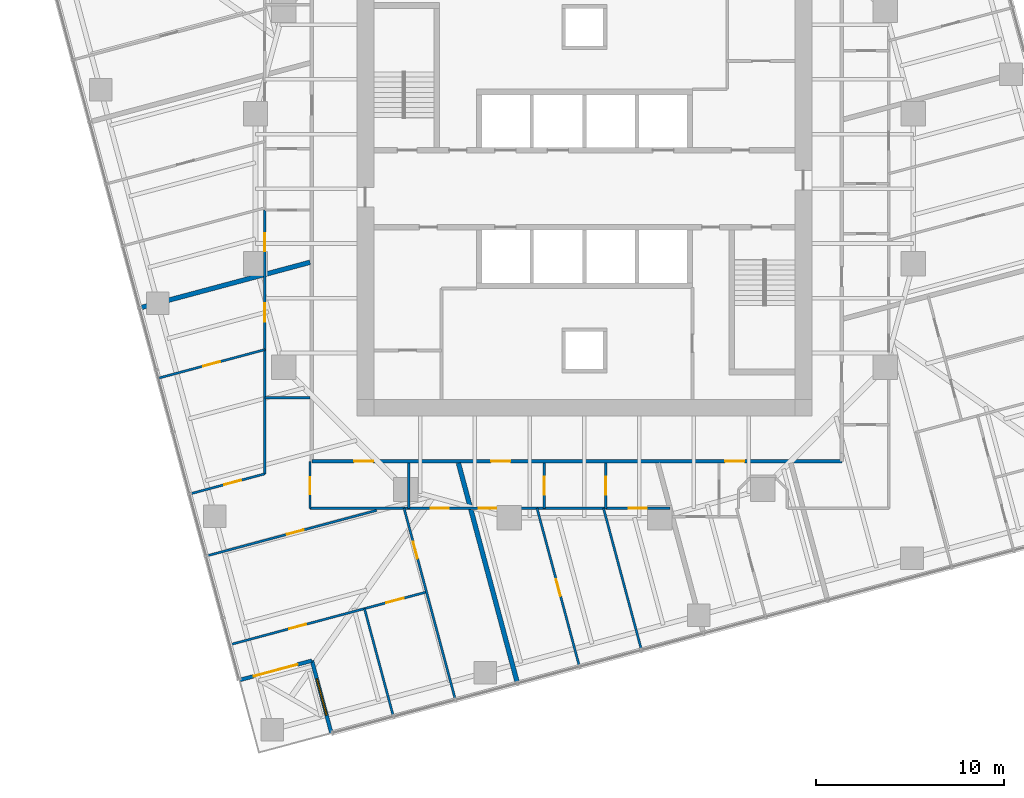
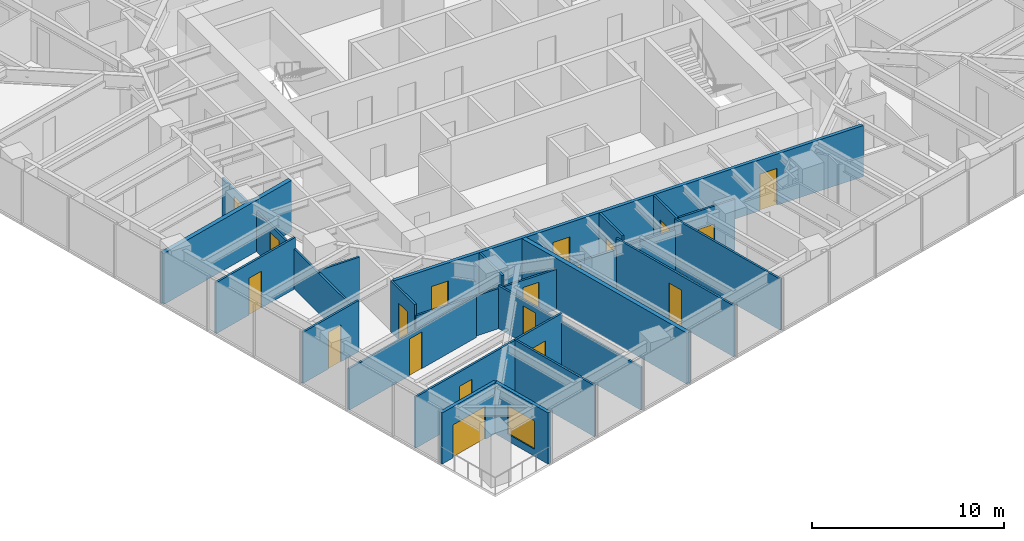
# One storey, part 8 of 14: 21 walls, 19 doors, 1 window, 20 openings.
"""IFC4 building model written with IfcOpenShell, lengths in metres."""

from ifc_helpers import new_model, si_unit, direction, frame, frame_2d, origin, place, context, subcontext, project, spatial, rectangle, extrude, material, layer, layer_set, type_object, element, fill, save


model = new_model("IFC4")

# Units and contexts
model_context = context("Model", 3, precision=1e-05, world=origin(), true_north=direction((0.0, 1.0)))
body_context = subcontext(model_context, "Body", "Model", "MODEL_VIEW")
ifc_project = project(units=[si_unit("LENGTHUNIT", "METRE"), si_unit("AREAUNIT", "SQUARE_METRE"), si_unit("VOLUMEUNIT", "CUBIC_METRE"), si_unit("PLANEANGLEUNIT", "RADIAN"), si_unit("MASSUNIT", "GRAM", prefix="KILO")], contexts=[model_context])

# Site, building, storey
site_placement = place(None, origin())
site = spatial("IfcSite", under=ifc_project, at=site_placement, CompositionType="ELEMENT")
building_placement = place(site_placement, origin())
building = spatial("IfcBuilding", under=site, at=building_placement, Name="Torsade Residences", CompositionType="ELEMENT")
storey_placement = place(building_placement, frame((0.0, 0.0, 125.199951171875)))
storey = spatial("IfcBuildingStorey", under=building, at=storey_placement, Name="L34", CompositionType="ELEMENT", Elevation=125.199951171875)

# Wall, openings, doors
ifc_material_1 = material(Name="Plasterboard on steel stud", Category="steel")
ifc_layer_1 = layer(ifc_material_1, 0.199951171875)
ifc_layer_set_1 = layer_set([ifc_layer_1], Name="Plasterboard on steel stud")
wall_type_1 = type_object("IfcWallType", Name="CORRIDOR WALL 200", PredefinedType="PARTITIONING", material=ifc_layer_set_1)
wall_1_placement = place(storey_placement, frame((25.5, 15.5, 0.0), z_axis=(0.0, 0.0, 1.0), x_axis=(1.0, 0.0, 0.0)))
wall_1 = element("IfcWall", 1, at=wall_1_placement, inside=storey, type_object=wall_type_1, Name="Corridor wall L34", PredefinedType="PARTITIONING", context=body_context, shape_type="SweptSolid", body=[
    extrude(rectangle(XDim=28.199951171875, YDim=0.199951171875, at=frame_2d((14.10009765625, 0.0))), origin(), (0.0, 0.0, 1.0), 3.25),
])
opening_1_placement = place(wall_1_placement, frame((2.244140625, 0.0, 0.0)))
opening_1 = element("IfcOpeningElement", 2, at=opening_1_placement, cuts=wall_1, Name="Opening D01L", PredefinedType="OPENING", context=body_context, shape_type="SweptSolid", body=[
    extrude(rectangle(XDim=1.02001953125, YDim=2.10009765625, at=frame_2d((0.510009765625, 1.050048828125))), frame((0.0, 0.10986328125, 0.0), z_axis=(0.0, -1.0, 0.0), x_axis=(1.0, 0.0, 0.0)), (0.0, 0.0, 1.0), 0.219970703125),
])
opening_2_placement = place(wall_1_placement, frame((9.542236328125, 0.0, 0.0)))
opening_2 = element("IfcOpeningElement", 3, at=opening_2_placement, cuts=wall_1, Name="Opening D01", PredefinedType="OPENING", context=body_context, shape_type="SweptSolid", body=[
    extrude(rectangle(XDim=1.02001953125, YDim=2.340087890625, at=frame_2d((0.510009765625, 1.169921875))), frame((0.0, 0.10986328125, 0.0), z_axis=(0.0, -1.0, 0.0), x_axis=(1.0, 0.0, 0.0)), (0.0, 0.0, 1.0), 0.219970703125),
])
opening_3_placement = place(wall_1_placement, frame((21.994384765625, 0.0, 0.0)))
opening_3 = element("IfcOpeningElement", 4, at=opening_3_placement, cuts=wall_1, Name="Opening D01", PredefinedType="OPENING", context=body_context, shape_type="SweptSolid", body=[
    extrude(rectangle(XDim=1.02001953125, YDim=2.340087890625, at=frame_2d((0.510009765625, 1.169921875))), frame((0.0, 0.10986328125, 0.0), z_axis=(0.0, -1.0, 0.0), x_axis=(1.0, 0.0, 0.0)), (0.0, 0.0, 1.0), 0.219970703125),
])
ifc_material_2 = material(Name="Solid-core timber fire door", Category="wood")
door_type_1 = type_object("IfcDoorType", Name="APARTMENT ENTRY DOOR 1020x2100", OperationType="NOTDEFINED", PredefinedType="DOOR", material=ifc_material_2)
door_1_placement = place(opening_1_placement, origin())
door_1 = element("IfcDoor", 5, at=door_1_placement, inside=storey, type_object=door_type_1, Name="Door Residential corridor to Kitchen and dining", OperationType="SINGLE_SWING_LEFT", OverallHeight=2.10009765625, OverallWidth=1.02001953125, PredefinedType="DOOR", context=body_context, shape_type="SweptSolid", body=[
    extrude(rectangle(XDim=1.02001953125, YDim=2.10009765625, at=frame_2d((0.510009765625, 1.050048828125))), frame((0.0, 0.02490234375, 0.0), z_axis=(0.0, -1.0, 0.0), x_axis=(1.0, 0.0, 0.0)), (0.0, 0.0, 1.0), 0.050048828125),
])
fill(opening_1, door_1)
ifc_material_3 = material(Name="Solid-core timber fire door", Category="wood")
door_type_2 = type_object("IfcDoorType", Name="APARTMENT ENTRY DOOR 1020x2340", OperationType="NOTDEFINED", PredefinedType="DOOR", material=ifc_material_3)
door_2_placement = place(opening_2_placement, origin())
door_2 = element("IfcDoor", 6, at=door_2_placement, inside=storey, type_object=door_type_2, Name="Door Residential corridor to Kitchen and dining", OperationType="SINGLE_SWING_LEFT", OverallHeight=2.340087890625, OverallWidth=1.02001953125, PredefinedType="DOOR", context=body_context, shape_type="SweptSolid", body=[
    extrude(rectangle(XDim=1.02001953125, YDim=2.340087890625, at=frame_2d((0.510009765625, 1.169921875))), frame((0.0, 0.02490234375, 0.0), z_axis=(0.0, -1.0, 0.0), x_axis=(1.0, 0.0, 0.0)), (0.0, 0.0, 1.0), 0.050048828125),
])
fill(opening_2, door_2)
door_3_placement = place(opening_3_placement, origin())
door_3 = element("IfcDoor", 7, at=door_3_placement, inside=storey, type_object=door_type_2, Name="Door Residential corridor to Kitchen and dining", OperationType="SINGLE_SWING_RIGHT", OverallHeight=2.340087890625, OverallWidth=1.02001953125, PredefinedType="DOOR", context=body_context, shape_type="SweptSolid", body=[
    extrude(rectangle(XDim=1.02001953125, YDim=2.340087890625, at=frame_2d((0.510009765625, 1.169921875))), frame((0.0, 0.02490234375, 0.0), z_axis=(0.0, -1.0, 0.0), x_axis=(1.0, 0.0, 0.0)), (0.0, 0.0, 1.0), 0.050048828125),
])
fill(opening_3, door_3)

# Wall
ifc_material_4 = material(Name="Plasterboard on steel stud", Category="steel")
ifc_layer_2 = layer(ifc_material_4, 0.1201171875)
ifc_layer_set_2 = layer_set([ifc_layer_2], Name="Plasterboard on steel stud")
wall_type_2 = type_object("IfcWallType", Name="PARTITION 120", PredefinedType="PARTITIONING", material=ifc_layer_set_2)
wall_2_placement = place(storey_placement, frame((30.658203125, 15.39990234375, 0.0), z_axis=(0.0, 0.0, 1.0), x_axis=(0.0, -1.0, 0.0)))
element("IfcWall", 8, at=wall_2_placement, inside=storey, type_object=wall_type_2, Name="Partition L34", PredefinedType="PARTITIONING", context=body_context, shape_type="SweptSolid", body=[
    extrude(rectangle(XDim=2.39990234375, YDim=0.1201171875, at=frame_2d((1.199951171875, 0.0))), origin(), (0.0, 0.0, 1.0), 3.25),
])

# Wall, openings, doors
wall_3_placement = place(storey_placement, frame((41.06982421875, 13.0, 0.0), z_axis=(0.0, 0.0, 1.0), x_axis=(-1.0, 0.0, 0.0)))
wall_3 = element("IfcWall", 9, at=wall_3_placement, inside=storey, type_object=wall_type_2, Name="Partition L34", PredefinedType="PARTITIONING", context=body_context, shape_type="SweptSolid", body=[
    extrude(rectangle(XDim=15.669921875, YDim=0.1201171875, at=frame_2d((7.8349609375, 0.0))), origin(), (0.0, 0.0, 1.0), 2.550048828125),
])
opening_4_placement = place(wall_3_placement, frame((5.771728515625, 0.0, 0.0)))
opening_4 = element("IfcOpeningElement", 10, at=opening_4_placement, cuts=wall_3, Name="Opening D02", PredefinedType="OPENING", context=body_context, shape_type="SweptSolid", body=[
    extrude(rectangle(XDim=0.919921875, YDim=2.340087890625, at=frame_2d((0.4599609375, 1.169921875))), frame((0.0, 0.070068359375, 0.0), z_axis=(0.0, -1.0, 0.0), x_axis=(1.0, 0.0, 0.0)), (0.0, 0.0, 1.0), 0.14013671875),
])
opening_5_placement = place(wall_3_placement, frame((8.288818359375, 0.0, 0.0)))
opening_5 = element("IfcOpeningElement", 11, at=opening_5_placement, cuts=wall_3, Name="Opening D05", PredefinedType="OPENING", context=body_context, shape_type="SweptSolid", body=[
    extrude(rectangle(XDim=0.9599609375, YDim=2.10009765625, at=frame_2d((0.47998046875, 1.050048828125))), frame((0.0, 0.070068359375, 0.0), z_axis=(0.0, -1.0, 0.0), x_axis=(1.0, 0.0, 0.0)), (0.0, 0.0, 1.0), 0.14013671875),
])
ifc_material_5 = material(Name="Hollow-core timber door in a steel cavity frame", Category="steel")
door_type_3 = type_object("IfcDoorType", Name="BATHROOM CAVITY SLIDING DOOR 960", OperationType="SLIDING_TO_LEFT", PredefinedType="DOOR", material=ifc_material_5)
door_4_placement = place(opening_5_placement, origin())
door_4 = element("IfcDoor", 12, at=door_4_placement, inside=storey, type_object=door_type_3, Name="Door Bedroom 2 to Ensuite", OperationType="SLIDING_TO_LEFT", OverallHeight=2.10009765625, OverallWidth=0.9599609375, PredefinedType="DOOR", context=body_context, shape_type="SweptSolid", body=[
    extrude(rectangle(XDim=0.9599609375, YDim=2.10009765625, at=frame_2d((0.47998046875, 1.050048828125))), frame((0.0, 0.02490234375, 0.0), z_axis=(0.0, -1.0, 0.0), x_axis=(1.0, 0.0, 0.0)), (0.0, 0.0, 1.0), 0.050048828125),
])
fill(opening_5, door_4)
ifc_material_6 = material(Name="Hollow-core timber door", Category="wood")
door_type_4 = type_object("IfcDoorType", Name="INTERNAL DOOR 920x2340", OperationType="NOTDEFINED", PredefinedType="DOOR", material=ifc_material_6)
door_5_placement = place(opening_4_placement, origin())
door_5 = element("IfcDoor", 13, at=door_5_placement, inside=storey, type_object=door_type_4, Name="Door Kitchen and dining to Living room", OperationType="SINGLE_SWING_LEFT", OverallHeight=2.340087890625, OverallWidth=0.919921875, PredefinedType="DOOR", context=body_context, shape_type="SweptSolid", body=[
    extrude(rectangle(XDim=0.919921875, YDim=2.340087890625, at=frame_2d((0.4599609375, 1.169921875))), frame((0.0, 0.02490234375, 0.0), z_axis=(0.0, -1.0, 0.0), x_axis=(1.0, 0.0, 0.0)), (0.0, 0.0, 1.0), 0.050048828125),
])
fill(opening_4, door_5)

# Wall, opening, door
wall_4_placement = place(storey_placement, frame((25.39990234375, 13.0, 0.0), z_axis=(0.0, 0.0, 1.0), x_axis=(0.0, 1.0, 0.0)))
wall_4 = element("IfcWall", 14, at=wall_4_placement, inside=storey, type_object=wall_type_2, Name="Partition L34", PredefinedType="PARTITIONING", context=body_context, shape_type="SweptSolid", body=[
    extrude(rectangle(XDim=2.5, YDim=0.1201171875, at=frame_2d((1.25, 0.0))), origin(), (0.0, 0.0, 1.0), 3.25),
])
opening_6_placement = place(wall_4_placement, frame((0.739990234375, 0.0, 0.0)))
opening_6 = element("IfcOpeningElement", 15, at=opening_6_placement, cuts=wall_4, Name="Opening D02", PredefinedType="OPENING", context=body_context, shape_type="SweptSolid", body=[
    extrude(rectangle(XDim=0.919921875, YDim=2.340087890625, at=frame_2d((0.4599609375, 1.169921875))), frame((0.0, 0.070068359375, 0.0), z_axis=(0.0, -1.0, 0.0), x_axis=(1.0, 0.0, 0.0)), (0.0, 0.0, 1.0), 0.14013671875),
])
door_6_placement = place(opening_6_placement, origin())
door_6 = element("IfcDoor", 16, at=door_6_placement, inside=storey, type_object=door_type_4, Name="Door Kitchen and dining to Media room", OperationType="SINGLE_SWING_LEFT", OverallHeight=2.340087890625, OverallWidth=0.919921875, PredefinedType="DOOR", context=body_context, shape_type="SweptSolid", body=[
    extrude(rectangle(XDim=0.919921875, YDim=2.340087890625, at=frame_2d((0.4599609375, 1.169921875))), frame((0.0, 0.02490234375, 0.0), z_axis=(0.0, -1.0, 0.0), x_axis=(1.0, 0.0, 0.0)), (0.0, 0.0, 1.0), 0.050048828125),
])
fill(opening_6, door_6)

# Wall, openings, doors
wall_5_placement = place(storey_placement, frame((23.0, 14.833251953125, 0.0), z_axis=(0.0, 0.0, 1.0), x_axis=(0.0, 1.0, 0.0)))
wall_5 = element("IfcWall", 17, at=wall_5_placement, inside=storey, type_object=wall_type_2, Name="Partition L34", PredefinedType="PARTITIONING", context=body_context, shape_type="SweptSolid", body=[
    extrude(rectangle(XDim=14.034423828125, YDim=0.1201171875, at=frame_2d((7.01708984375, 0.0))), origin(), (0.0, 0.0, 1.0), 2.550048828125),
])
opening_7_placement = place(wall_5_placement, frame((11.843017578125, 0.0, 0.0)))
opening_7 = element("IfcOpeningElement", 18, at=opening_7_placement, cuts=wall_5, Name="Opening D05", PredefinedType="OPENING", context=body_context, shape_type="SweptSolid", body=[
    extrude(rectangle(XDim=0.9599609375, YDim=2.10009765625, at=frame_2d((0.47998046875, 1.050048828125))), frame((0.0, 0.070068359375, 0.0), z_axis=(0.0, -1.0, 0.0), x_axis=(1.0, 0.0, 0.0)), (0.0, 0.0, 1.0), 0.14013671875),
])
opening_8_placement = place(wall_5_placement, frame((8.10400390625, 0.0, 0.0)))
opening_8 = element("IfcOpeningElement", 19, at=opening_8_placement, cuts=wall_5, Name="Opening D05", PredefinedType="OPENING", context=body_context, shape_type="SweptSolid", body=[
    extrude(rectangle(XDim=0.9599609375, YDim=2.10009765625, at=frame_2d((0.47998046875, 1.050048828125))), frame((0.0, 0.070068359375, 0.0), z_axis=(0.0, -1.0, 0.0), x_axis=(1.0, 0.0, 0.0)), (0.0, 0.0, 1.0), 0.14013671875),
])
door_7_placement = place(opening_7_placement, origin())
door_7 = element("IfcDoor", 20, at=door_7_placement, inside=storey, type_object=door_type_3, Name="Door Ensuite to Bedroom 2", OperationType="SLIDING_TO_LEFT", OverallHeight=2.10009765625, OverallWidth=0.9599609375, PredefinedType="DOOR", context=body_context, shape_type="SweptSolid", body=[
    extrude(rectangle(XDim=0.9599609375, YDim=2.10009765625, at=frame_2d((0.47998046875, 1.050048828125))), frame((0.0, 0.02490234375, 0.0), z_axis=(0.0, -1.0, 0.0), x_axis=(1.0, 0.0, 0.0)), (0.0, 0.0, 1.0), 0.050048828125),
])
fill(opening_7, door_7)
door_8_placement = place(opening_8_placement, origin())
door_8 = element("IfcDoor", 21, at=door_8_placement, inside=storey, type_object=door_type_3, Name="Door Study to Ensuite 2", OperationType="SLIDING_TO_LEFT", OverallHeight=2.10009765625, OverallWidth=0.9599609375, PredefinedType="DOOR", context=body_context, shape_type="SweptSolid", body=[
    extrude(rectangle(XDim=0.9599609375, YDim=2.10009765625, at=frame_2d((0.47998046875, 1.050048828125))), frame((0.0, 0.02490234375, 0.0), z_axis=(0.0, -1.0, 0.0), x_axis=(1.0, 0.0, 0.0)), (0.0, 0.0, 1.0), 0.050048828125),
])
fill(opening_8, door_8)

# Wall
wall_6_placement = place(storey_placement, frame((25.39990234375, 18.88037109375, 0.0), z_axis=(0.0, 0.0, 1.0), x_axis=(-1.0, 0.0, 0.0)))
element("IfcWall", 22, at=wall_6_placement, inside=storey, type_object=wall_type_2, Name="Partition L34", PredefinedType="PARTITIONING", context=body_context, shape_type="SweptSolid", body=[
    extrude(rectangle(XDim=2.39990234375, YDim=0.1201171875, at=frame_2d((1.199951171875, 0.0))), origin(), (0.0, 0.0, 1.0), 2.72216796875),
])

# Wall, opening, door
wall_7_placement = place(storey_placement, frame((30.40625, 13.0, 0.0), z_axis=(0.0, 0.0, 1.0), x_axis=(0.258819200315, -0.9659257847, 0.0)))
wall_7 = element("IfcWall", 23, at=wall_7_placement, inside=storey, type_object=wall_type_2, Name="Partition L34", PredefinedType="PARTITIONING", context=body_context, shape_type="SweptSolid", body=[
    extrude(rectangle(XDim=10.5224609375, YDim=0.1201171875, at=frame_2d((5.26123046875, 0.0))), origin(), (0.0, 0.0, 1.0), 2.72216796875),
])
opening_9_placement = place(wall_7_placement, frame((1.846435546875, 0.0, 0.0)))
opening_9 = element("IfcOpeningElement", 24, at=opening_9_placement, cuts=wall_7, Name="Opening D02", PredefinedType="OPENING", context=body_context, shape_type="SweptSolid", body=[
    extrude(rectangle(XDim=0.919921875, YDim=2.340087890625, at=frame_2d((0.4599609375, 1.169921875))), frame((0.0, 0.070068359375, 0.0), z_axis=(0.0, -1.0, 0.0), x_axis=(1.0, 0.0, 0.0)), (0.0, 0.0, 1.0), 0.14013671875),
])
door_9_placement = place(opening_9_placement, origin())
door_9 = element("IfcDoor", 25, at=door_9_placement, inside=storey, type_object=door_type_4, Name="Door Living room to Bedroom 2", OperationType="SINGLE_SWING_LEFT", OverallHeight=2.340087890625, OverallWidth=0.919921875, PredefinedType="DOOR", context=body_context, shape_type="SweptSolid", body=[
    extrude(rectangle(XDim=0.919921875, YDim=2.340087890625, at=frame_2d((0.4599609375, 1.169921875))), frame((0.0, 0.02490234375, 0.0), z_axis=(0.0, -1.0, 0.0), x_axis=(1.0, 0.0, 0.0)), (0.0, 0.0, 1.0), 0.050048828125),
])
fill(opening_9, door_9)

# Wall, openings, doors
wall_8_placement = place(storey_placement, frame((31.60009765625, 8.54443359375, 0.0), z_axis=(0.0, 0.0, 1.0), x_axis=(-0.965927151587, -0.258814098973, 0.0)))
wall_8 = element("IfcWall", 26, at=wall_8_placement, inside=storey, type_object=wall_type_2, Name="Partition L34", PredefinedType="PARTITIONING", context=body_context, shape_type="SweptSolid", body=[
    extrude(rectangle(XDim=10.793212890625, YDim=0.1201171875, at=frame_2d((5.396484375, 0.0))), origin(), (0.0, 0.0, 1.0), 3.25),
])
opening_10_placement = place(wall_8_placement, frame((6.639892578125, 0.0, 0.0)))
opening_10 = element("IfcOpeningElement", 27, at=opening_10_placement, cuts=wall_8, Name="Opening D02", PredefinedType="OPENING", context=body_context, shape_type="SweptSolid", body=[
    extrude(rectangle(XDim=0.919921875, YDim=2.340087890625, at=frame_2d((0.4599609375, 1.169921875))), frame((0.0, 0.070068359375, 0.0), z_axis=(0.0, -1.0, 0.0), x_axis=(1.0, 0.0, 0.0)), (0.0, 0.0, 1.0), 0.14013671875),
])
opening_11_placement = place(wall_8_placement, frame((1.25341796875, 0.0, 0.0)))
opening_11 = element("IfcOpeningElement", 28, at=opening_11_placement, cuts=wall_8, Name="Opening D05", PredefinedType="OPENING", context=body_context, shape_type="SweptSolid", body=[
    extrude(rectangle(XDim=0.9599609375, YDim=2.10009765625, at=frame_2d((0.47998046875, 1.050048828125))), frame((0.0, 0.070068359375, 0.0), z_axis=(0.0, -1.0, 0.0), x_axis=(1.0, 0.0, 0.0)), (0.0, 0.0, 1.0), 0.14013671875),
])
door_10_placement = place(opening_11_placement, origin())
door_10 = element("IfcDoor", 29, at=door_10_placement, inside=storey, type_object=door_type_3, Name="Door Living room to Bathroom", OperationType="SLIDING_TO_LEFT", OverallHeight=2.10009765625, OverallWidth=0.9599609375, PredefinedType="DOOR", context=body_context, shape_type="SweptSolid", body=[
    extrude(rectangle(XDim=0.9599609375, YDim=2.10009765625, at=frame_2d((0.47998046875, 1.050048828125))), frame((0.0, 0.02490234375, 0.0), z_axis=(0.0, -1.0, 0.0), x_axis=(1.0, 0.0, 0.0)), (0.0, 0.0, 1.0), 0.050048828125),
])
fill(opening_11, door_10)
door_11_placement = place(opening_10_placement, origin())
door_11 = element("IfcDoor", 30, at=door_11_placement, inside=storey, type_object=door_type_4, Name="Door Living room to Bedroom 3", OperationType="SINGLE_SWING_LEFT", OverallHeight=2.340087890625, OverallWidth=0.919921875, PredefinedType="DOOR", context=body_context, shape_type="SweptSolid", body=[
    extrude(rectangle(XDim=0.919921875, YDim=2.340087890625, at=frame_2d((0.4599609375, 1.169921875))), frame((0.0, 0.02490234375, 0.0), z_axis=(0.0, -1.0, 0.0), x_axis=(1.0, 0.0, 0.0)), (0.0, 0.0, 1.0), 0.050048828125),
])
fill(opening_10, door_11)

# Wall, opening, door
wall_9_placement = place(storey_placement, frame((19.91064453125, 10.46826171875, 0.0), z_axis=(0.0, 0.0, 1.0), x_axis=(0.965927203676, 0.25881390457, 0.0)))
wall_9 = element("IfcWall", 31, at=wall_9_placement, inside=storey, type_object=wall_type_2, Name="Partition L34", PredefinedType="PARTITIONING", context=body_context, shape_type="SweptSolid", body=[
    extrude(rectangle(XDim=9.356689453125, YDim=0.1201171875, at=frame_2d((4.67822265625, 0.0))), origin(), (0.0, 0.0, 1.0), 2.637939453125),
])
opening_12_placement = place(wall_9_placement, frame((4.410888671875, 0.0, 0.0)))
opening_12 = element("IfcOpeningElement", 32, at=opening_12_placement, cuts=wall_9, Name="Opening D02", PredefinedType="OPENING", context=body_context, shape_type="SweptSolid", body=[
    extrude(rectangle(XDim=0.919921875, YDim=2.340087890625, at=frame_2d((0.4599609375, 1.169921875))), frame((0.0, 0.070068359375, 0.0), z_axis=(0.0, -1.0, 0.0), x_axis=(1.0, 0.0, 0.0)), (0.0, 0.0, 1.0), 0.14013671875),
])
door_12_placement = place(opening_12_placement, origin())
door_12 = element("IfcDoor", 33, at=door_12_placement, inside=storey, type_object=door_type_4, Name="Door Media room to Living room", OperationType="SINGLE_SWING_LEFT", OverallHeight=2.340087890625, OverallWidth=0.919921875, PredefinedType="DOOR", context=body_context, shape_type="SweptSolid", body=[
    extrude(rectangle(XDim=0.919921875, YDim=2.340087890625, at=frame_2d((0.4599609375, 1.169921875))), frame((0.0, 0.02490234375, 0.0), z_axis=(0.0, -1.0, 0.0), x_axis=(1.0, 0.0, 0.0)), (0.0, 0.0, 1.0), 0.050048828125),
])
fill(opening_12, door_12)

wall_10_placement = place(storey_placement, frame((17.374267578125, 19.934326171875, 0.0), z_axis=(0.0, 0.0, 1.0), x_axis=(0.965929528031, 0.258805229617, 0.0)))
wall_10 = element("IfcWall", 34, at=wall_10_placement, inside=storey, type_object=wall_type_2, Name="Partition L34", PredefinedType="PARTITIONING", context=body_context, shape_type="SweptSolid", body=[
    extrude(rectangle(XDim=5.82421875, YDim=0.1201171875, at=frame_2d((2.912109375, 0.0))), origin(), (0.0, 0.0, 1.0), 3.25),
])
opening_13_placement = place(wall_10_placement, frame((2.43212890625, 0.0, 0.0)))
opening_13 = element("IfcOpeningElement", 35, at=opening_13_placement, cuts=wall_10, Name="Opening D02", PredefinedType="OPENING", context=body_context, shape_type="SweptSolid", body=[
    extrude(rectangle(XDim=0.919921875, YDim=2.340087890625, at=frame_2d((0.4599609375, 1.169921875))), frame((0.0, 0.070068359375, 0.0), z_axis=(0.0, -1.0, 0.0), x_axis=(1.0, 0.0, 0.0)), (0.0, 0.0, 1.0), 0.14013671875),
])
door_13_placement = place(opening_13_placement, origin())
door_13 = element("IfcDoor", 36, at=door_13_placement, inside=storey, type_object=door_type_4, Name="Door Bedroom 1 to Study", OperationType="SINGLE_SWING_RIGHT", OverallHeight=2.340087890625, OverallWidth=0.919921875, PredefinedType="DOOR", context=body_context, shape_type="SweptSolid", body=[
    extrude(rectangle(XDim=0.919921875, YDim=2.340087890625, at=frame_2d((0.4599609375, 1.169921875))), frame((0.0, 0.02490234375, 0.0), z_axis=(0.0, -1.0, 0.0), x_axis=(1.0, 0.0, 0.0)), (0.0, 0.0, 1.0), 0.050048828125),
])
fill(opening_13, door_13)

wall_11_placement = place(storey_placement, frame((23.0, 14.833251953125, 0.0), z_axis=(0.0, 0.0, 1.0), x_axis=(-0.965927919062, -0.258811234642, 0.0)))
wall_11 = element("IfcWall", 37, at=wall_11_placement, inside=storey, type_object=wall_type_2, Name="Partition L34", PredefinedType="PARTITIONING", context=body_context, shape_type="SweptSolid", body=[
    extrude(rectangle(XDim=4.11376953125, YDim=0.1201171875, at=frame_2d((2.056884765625, 0.0))), origin(), (0.0, 0.0, 1.0), 3.25),
])
opening_14_placement = place(wall_11_placement, frame((1.31689453125, 0.0, 0.0)))
opening_14 = element("IfcOpeningElement", 38, at=opening_14_placement, cuts=wall_11, Name="Opening D02", PredefinedType="OPENING", context=body_context, shape_type="SweptSolid", body=[
    extrude(rectangle(XDim=0.919921875, YDim=2.340087890625, at=frame_2d((0.4599609375, 1.169921875))), frame((0.0, 0.070068359375, 0.0), z_axis=(0.0, -1.0, 0.0), x_axis=(1.0, 0.0, 0.0)), (0.0, 0.0, 1.0), 0.14013671875),
])
door_14_placement = place(opening_14_placement, origin())
door_14 = element("IfcDoor", 39, at=door_14_placement, inside=storey, type_object=door_type_4, Name="Door Media room to Bedroom 1", OperationType="SINGLE_SWING_RIGHT", OverallHeight=2.340087890625, OverallWidth=0.919921875, PredefinedType="DOOR", context=body_context, shape_type="SweptSolid", body=[
    extrude(rectangle(XDim=0.919921875, YDim=2.340087890625, at=frame_2d((0.4599609375, 1.169921875))), frame((0.0, 0.02490234375, 0.0), z_axis=(0.0, -1.0, 0.0), x_axis=(1.0, 0.0, 0.0)), (0.0, 0.0, 1.0), 0.050048828125),
])
fill(opening_14, door_14)

# Wall
wall_12_placement = place(storey_placement, frame((28.300048828125, 7.66015625, 0.0), z_axis=(0.0, 0.0, 1.0), x_axis=(0.25882212607, -0.965925000741, 0.0)))
element("IfcWall", 40, at=wall_12_placement, inside=storey, type_object=wall_type_2, Name="Partition L34", PredefinedType="PARTITIONING", context=body_context, shape_type="SweptSolid", body=[
    extrude(rectangle(XDim=5.90966796875, YDim=0.1201171875, at=frame_2d((2.954833984375, 0.0))), origin(), (0.0, 0.0, 1.0), 3.25),
])

# Wall, opening, door
wall_13_placement = place(storey_placement, frame((37.8662109375, 15.39990234375, 0.0), z_axis=(0.0, 0.0, 1.0), x_axis=(0.0, -1.0, 0.0)))
wall_13 = element("IfcWall", 41, at=wall_13_placement, inside=storey, type_object=wall_type_2, Name="Partition L34", PredefinedType="PARTITIONING", context=body_context, shape_type="SweptSolid", body=[
    extrude(rectangle(XDim=2.39990234375, YDim=0.1201171875, at=frame_2d((1.199951171875, 0.0))), origin(), (0.0, 0.0, 1.0), 3.25),
])
opening_15_placement = place(wall_13_placement, frame((0.719970703125, 0.0, 0.0)))
opening_15 = element("IfcOpeningElement", 42, at=opening_15_placement, cuts=wall_13, Name="Opening D05", PredefinedType="OPENING", context=body_context, shape_type="SweptSolid", body=[
    extrude(rectangle(XDim=0.9599609375, YDim=2.10009765625, at=frame_2d((0.47998046875, 1.050048828125))), frame((0.0, 0.070068359375, 0.0), z_axis=(0.0, -1.0, 0.0), x_axis=(1.0, 0.0, 0.0)), (0.0, 0.0, 1.0), 0.14013671875),
])
door_15_placement = place(opening_15_placement, origin())
door_15 = element("IfcDoor", 43, at=door_15_placement, inside=storey, type_object=door_type_3, Name="Door Kitchen and dining to Bathroom", OperationType="SLIDING_TO_LEFT", OverallHeight=2.10009765625, OverallWidth=0.9599609375, PredefinedType="DOOR", context=body_context, shape_type="SweptSolid", body=[
    extrude(rectangle(XDim=0.9599609375, YDim=2.10009765625, at=frame_2d((0.47998046875, 1.050048828125))), frame((0.0, 0.02490234375, 0.0), z_axis=(0.0, -1.0, 0.0), x_axis=(1.0, 0.0, 0.0)), (0.0, 0.0, 1.0), 0.050048828125),
])
fill(opening_15, door_15)

wall_14_placement = place(storey_placement, frame((41.13232421875, 15.39990234375, 0.0), z_axis=(0.0, 0.0, 1.0), x_axis=(0.0, -1.0, 0.0)))
wall_14 = element("IfcWall", 44, at=wall_14_placement, inside=storey, type_object=wall_type_2, Name="Partition L34", PredefinedType="PARTITIONING", context=body_context, shape_type="SweptSolid", body=[
    extrude(rectangle(XDim=2.39990234375, YDim=0.1201171875, at=frame_2d((1.199951171875, 0.0))), origin(), (0.0, 0.0, 1.0), 3.25),
])
opening_16_placement = place(wall_14_placement, frame((0.719970703125, 0.0, 0.0)))
opening_16 = element("IfcOpeningElement", 45, at=opening_16_placement, cuts=wall_14, Name="Opening D05", PredefinedType="OPENING", context=body_context, shape_type="SweptSolid", body=[
    extrude(rectangle(XDim=0.9599609375, YDim=2.10009765625, at=frame_2d((0.47998046875, 1.050048828125))), frame((0.0, 0.070068359375, 0.0), z_axis=(0.0, -1.0, 0.0), x_axis=(1.0, 0.0, 0.0)), (0.0, 0.0, 1.0), 0.14013671875),
])
door_16_placement = place(opening_16_placement, origin())
door_16 = element("IfcDoor", 46, at=door_16_placement, inside=storey, type_object=door_type_3, Name="Door Bathroom to Ensuite", OperationType="SLIDING_TO_LEFT", OverallHeight=2.10009765625, OverallWidth=0.9599609375, PredefinedType="DOOR", context=body_context, shape_type="SweptSolid", body=[
    extrude(rectangle(XDim=0.9599609375, YDim=2.10009765625, at=frame_2d((0.47998046875, 1.050048828125))), frame((0.0, 0.02490234375, 0.0), z_axis=(0.0, -1.0, 0.0), x_axis=(1.0, 0.0, 0.0)), (0.0, 0.0, 1.0), 0.050048828125),
])
fill(opening_16, door_16)

wall_15_placement = place(storey_placement, frame((44.55517578125, 13.0, 0.0), z_axis=(0.0, 0.0, 1.0), x_axis=(-1.0, 0.0, 0.0)))
wall_15 = element("IfcWall", 47, at=wall_15_placement, inside=storey, type_object=wall_type_2, Name="Partition L34", PredefinedType="PARTITIONING", context=body_context, shape_type="SweptSolid", body=[
    extrude(rectangle(XDim=3.4228515625, YDim=0.1201171875, at=frame_2d((1.71142578125, 0.0))), origin(), (0.0, 0.0, 1.0), 3.25),
])
opening_17_placement = place(wall_15_placement, frame((1.2314453125, 0.0, 0.0)))
opening_17 = element("IfcOpeningElement", 48, at=opening_17_placement, cuts=wall_15, Name="Opening D05", PredefinedType="OPENING", context=body_context, shape_type="SweptSolid", body=[
    extrude(rectangle(XDim=0.9599609375, YDim=2.10009765625, at=frame_2d((0.47998046875, 1.050048828125))), frame((0.0, 0.070068359375, 0.0), z_axis=(0.0, -1.0, 0.0), x_axis=(1.0, 0.0, 0.0)), (0.0, 0.0, 1.0), 0.14013671875),
])
door_17_placement = place(opening_17_placement, origin())
door_17 = element("IfcDoor", 49, at=door_17_placement, inside=storey, type_object=door_type_3, Name="Door Ensuite to Bedroom 2", OperationType="SLIDING_TO_LEFT", OverallHeight=2.10009765625, OverallWidth=0.9599609375, PredefinedType="DOOR", context=body_context, shape_type="SweptSolid", body=[
    extrude(rectangle(XDim=0.9599609375, YDim=2.10009765625, at=frame_2d((0.47998046875, 1.050048828125))), frame((0.0, 0.02490234375, 0.0), z_axis=(0.0, -1.0, 0.0), x_axis=(1.0, 0.0, 0.0)), (0.0, 0.0, 1.0), 0.050048828125),
])
fill(opening_17, door_17)

wall_16_placement = place(storey_placement, frame((37.480712890625, 13.0, 0.0), z_axis=(0.0, 0.0, 1.0), x_axis=(0.258819860698, -0.965925607751, 0.0)))
wall_16 = element("IfcWall", 50, at=wall_16_placement, inside=storey, type_object=wall_type_2, Name="Partition L34", PredefinedType="PARTITIONING", context=body_context, shape_type="SweptSolid", body=[
    extrude(rectangle(XDim=8.69140625, YDim=0.1201171875, at=frame_2d((4.345703125, 0.0))), origin(), (0.0, 0.0, 1.0), 3.25),
])
opening_18_placement = place(wall_16_placement, frame((3.90576171875, 0.0, 0.0)))
opening_18 = element("IfcOpeningElement", 51, at=opening_18_placement, cuts=wall_16, Name="Opening D02", PredefinedType="OPENING", context=body_context, shape_type="SweptSolid", body=[
    extrude(rectangle(XDim=0.919921875, YDim=2.340087890625, at=frame_2d((0.4599609375, 1.169921875))), frame((0.0, 0.070068359375, 0.0), z_axis=(0.0, -1.0, 0.0), x_axis=(1.0, 0.0, 0.0)), (0.0, 0.0, 1.0), 0.14013671875),
])
door_18_placement = place(opening_18_placement, origin())
door_18 = element("IfcDoor", 52, at=door_18_placement, inside=storey, type_object=door_type_4, Name="Door Living room to Bedroom 1", OperationType="SINGLE_SWING_LEFT", OverallHeight=2.340087890625, OverallWidth=0.919921875, PredefinedType="DOOR", context=body_context, shape_type="SweptSolid", body=[
    extrude(rectangle(XDim=0.919921875, YDim=2.340087890625, at=frame_2d((0.4599609375, 1.169921875))), frame((0.0, 0.02490234375, 0.0), z_axis=(0.0, -1.0, 0.0), x_axis=(1.0, 0.0, 0.0)), (0.0, 0.0, 1.0), 0.050048828125),
])
fill(opening_18, door_18)

# Walls
wall_17_placement = place(storey_placement, frame((41.01806640625, 13.0, 0.0), z_axis=(0.0, 0.0, 1.0), x_axis=(0.258813509689, -0.965927309482, 0.0)))
element("IfcWall", 53, at=wall_17_placement, inside=storey, type_object=wall_type_2, Name="Partition L34", PredefinedType="PARTITIONING", context=body_context, shape_type="SweptSolid", body=[
    extrude(rectangle(XDim=7.775634765625, YDim=0.1201171875, at=frame_2d((3.8876953125, 0.0))), origin(), (0.0, 0.0, 1.0), 3.25),
])
ifc_material_7 = material(Name="Masonry-lined stud party wall", Category="masonry")
ifc_layer_3 = layer(ifc_material_7, 0.25)
ifc_layer_set_3 = layer_set([ifc_layer_3], Name="Masonry-lined stud party wall")
wall_type_3 = type_object("IfcWallType", Name="PARTY WALL 250", PredefinedType="PARTITIONING", material=ifc_layer_set_3)
wall_18_placement = place(storey_placement, frame((36.4404296875, 3.681884765625, 0.0), z_axis=(0.0, 0.0, 1.0), x_axis=(-0.258824223352, 0.965924438766, 0.0)))
element("IfcWall", 54, at=wall_18_placement, inside=storey, type_object=wall_type_3, Name="Party wall L34", PredefinedType="PARTITIONING", context=body_context, shape_type="SweptSolid", body=[
    extrude(rectangle(XDim=12.137939453125, YDim=0.25, at=frame_2d((6.06884765625, 0.0))), origin(), (0.0, 0.0, 1.0), 3.25),
])
wall_19_placement = place(storey_placement, frame((16.334716796875, 23.658935546875, 0.0), z_axis=(0.0, 0.0, 1.0), x_axis=(0.965927049013, 0.258814481793, 0.0)))
element("IfcWall", 55, at=wall_19_placement, inside=storey, type_object=wall_type_3, Name="Party wall L34", PredefinedType="PARTITIONING", context=body_context, shape_type="SweptSolid", body=[
    extrude(rectangle(XDim=9.3916015625, YDim=0.25, at=frame_2d((4.69580078125, 0.0))), origin(), (0.0, 0.0, 1.0), 3.25),
])

# Wall, opening, door
ifc_material_8 = material(Name="Stone-faced precast concrete 40 MPa panel", Category="masonry")
ifc_layer_4 = layer(ifc_material_8, 0.199951171875)
ifc_layer_set_4 = layer_set([ifc_layer_4], Name="Stone-faced precast concrete 40 MPa panel")
wall_type_4 = type_object("IfcWallType", Name="TERRACE WALL 200", PredefinedType="SOLIDWALL", material=ifc_layer_set_4)
wall_20_placement = place(storey_placement, frame((21.640625, 3.857421875, 0.0), z_axis=(0.0, 0.0, 1.0), x_axis=(0.965919172068, 0.258843877716, 0.0)))
wall_20 = element("IfcWall", 56, at=wall_20_placement, inside=storey, type_object=wall_type_4, Name="Terrace wall L34 11", PredefinedType="SOLIDWALL", context=body_context, shape_type="SweptSolid", body=[
    extrude(rectangle(XDim=4.0, YDim=0.199951171875, at=frame_2d((2.0, 0.0))), origin(), (0.0, 0.0, 1.0), 3.25),
])
opening_19_placement = place(wall_20_placement, frame((0.800048828125, 0.0, 0.0)))
opening_19 = element("IfcOpeningElement", 57, at=opening_19_placement, cuts=wall_20, Name="Opening D10A", PredefinedType="OPENING", context=body_context, shape_type="SweptSolid", body=[
    extrude(rectangle(XDim=2.39990234375, YDim=2.10009765625, at=frame_2d((1.199951171875, 1.050048828125))), frame((0.0, 0.10986328125, 0.0), z_axis=(0.0, -1.0, 0.0), x_axis=(1.0, 0.0, 0.0)), (0.0, 0.0, 1.0), 0.219970703125),
])
ifc_material_9 = material(Name="Aluminium-framed glass door", Category="aluminium")
door_type_5 = type_object("IfcDoorType", Name="TERRACE SLIDING DOOR 2400x2100", OperationType="SLIDING_TO_LEFT", PredefinedType="DOOR", material=ifc_material_9)
door_19_placement = place(opening_19_placement, origin())
door_19 = element("IfcDoor", 58, at=door_19_placement, inside=storey, type_object=door_type_5, Name="Terrace door L34 11", OperationType="SLIDING_TO_LEFT", OverallHeight=2.10009765625, OverallWidth=2.39990234375, PredefinedType="DOOR", context=body_context, shape_type="SweptSolid", body=[
    extrude(rectangle(XDim=2.39990234375, YDim=2.10009765625, at=frame_2d((1.199951171875, 1.050048828125))), frame((0.0, 0.02490234375, 0.0), z_axis=(0.0, -1.0, 0.0), x_axis=(1.0, 0.0, 0.0)), (0.0, 0.0, 1.0), 0.050048828125),
])
fill(opening_19, door_19)

# Wall, opening, window
wall_21_placement = place(storey_placement, frame((25.50439453125, 4.892822265625, 0.0), z_axis=(0.0, 0.0, 1.0), x_axis=(0.258786931944, -0.965934430412, 0.0)))
wall_21 = element("IfcWall", 59, at=wall_21_placement, inside=storey, type_object=wall_type_4, Name="Terrace wall L34 12", PredefinedType="SOLIDWALL", context=body_context, shape_type="SweptSolid", body=[
    extrude(rectangle(XDim=4.0, YDim=0.199951171875, at=frame_2d((2.0, 0.0))), origin(), (0.0, 0.0, 1.0), 3.25),
])
opening_20_placement = place(wall_21_placement, frame((1.0, 0.0, 0.449951171875)))
opening_20 = element("IfcOpeningElement", 60, at=opening_20_placement, cuts=wall_21, Name="Opening W1B", PredefinedType="OPENING", context=body_context, shape_type="SweptSolid", body=[
    extrude(rectangle(XDim=2.0, YDim=1.800048828125, at=frame_2d((1.0, 0.89990234375))), frame((0.0, 0.10986328125, 0.0), z_axis=(0.0, -1.0, 0.0), x_axis=(1.0, 0.0, 0.0)), (0.0, 0.0, 1.0), 0.219970703125),
])
ifc_material_10 = material(Name="Aluminium-framed glass window", Category="aluminium")
window_type = type_object("IfcWindowType", Name="TERRACE WINDOW 2000x1800", PartitioningType="SINGLE_PANEL", PredefinedType="WINDOW", material=ifc_material_10)
window_placement = place(opening_20_placement, origin())
window = element("IfcWindow", 61, at=window_placement, inside=storey, type_object=window_type, Name="Terrace window L34 12", OverallHeight=1.800048828125, OverallWidth=2.0, PartitioningType="SINGLE_PANEL", PredefinedType="WINDOW", context=body_context, shape_type="SweptSolid", body=[
    extrude(rectangle(XDim=2.0, YDim=1.800048828125, at=frame_2d((1.0, 0.89990234375))), frame((0.0, 0.030029296875, 0.0), z_axis=(0.0, -1.0, 0.0), x_axis=(1.0, 0.0, 0.0)), (0.0, 0.0, 1.0), 0.06005859375),
])
fill(opening_20, window)

save(model, "model.ifc")
